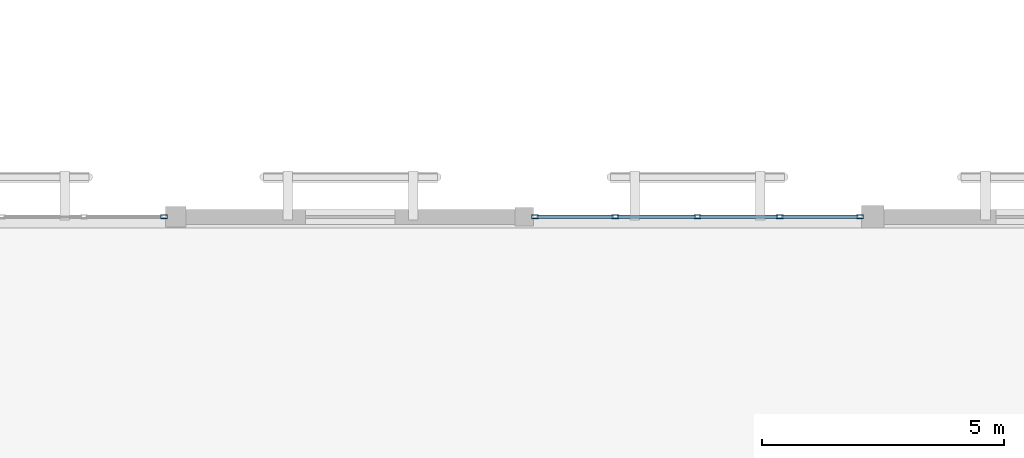
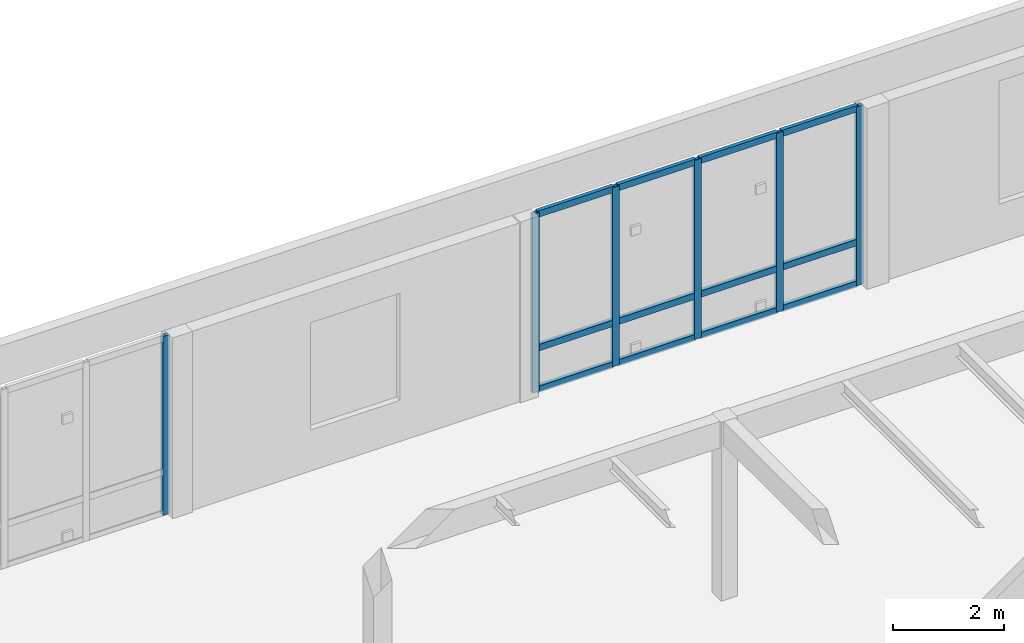
# One storey, part 158 of 217: 18 members, 2 elements without a shape of their own.
"""IFC4 building model written with IfcOpenShell, lengths in metres."""

from ifc_helpers import new_model, si_unit, direction, frame, origin, origin_2d, place, context, subcontext, project, spatial, hollow_rectangle, extrude, material, layer, layer_set, material_profile, profile_set, type_object, element, aggregate, save


model = new_model("IFC4")

# Units and contexts
model_context = context("Model", 3, precision=1e-05, world=origin(), true_north=direction((0.0, 1.0)))
body_context = subcontext(model_context, "Body", "Model", "MODEL_VIEW")
ifc_project = project(units=[si_unit("LENGTHUNIT", "METRE"), si_unit("AREAUNIT", "SQUARE_METRE"), si_unit("VOLUMEUNIT", "CUBIC_METRE"), si_unit("PLANEANGLEUNIT", "RADIAN"), si_unit("MASSUNIT", "GRAM", prefix="KILO")], contexts=[model_context])

# Site, building, storey
site_placement = place(None, origin())
site = spatial("IfcSite", under=ifc_project, at=site_placement, CompositionType="ELEMENT")
building_placement = place(site_placement, origin())
building = spatial("IfcBuilding", under=site, at=building_placement, Name="Mazaris Harbour Polytechnic", CompositionType="ELEMENT")
storey_placement = place(building_placement, frame((0.0, 0.0, 9.60009765625)))
storey = spatial("IfcBuildingStorey", under=building, at=storey_placement, Name="L02", CompositionType="ELEMENT", Elevation=9.60009765625)

# Curtain wall, member
ifc_material_1 = material(Name="Anodised Bronze Aluminium and Low-E Glass", Category="aluminium")
ifc_layer = layer(ifc_material_1, 0.169921875, Name="Anodised Bronze Aluminium and Low-E Glass")
ifc_layer_set = layer_set([ifc_layer], Name="Anodised Bronze Aluminium and Low-E Glass")
curtain_wall_type = type_object("IfcCurtainWallType", Name="Studio North-Light Curtain Wall", PredefinedType="NOTDEFINED", material=ifc_layer_set)
curtain_wall_1_placement = place(storey_placement, origin())
curtain_wall_1 = element("IfcCurtainWall", 1, at=curtain_wall_1_placement, inside=storey, type_object=curtain_wall_type, Name="V5 L02 Curtain Wall 228", PredefinedType="NOTDEFINED")
ifc_material_2 = material(Name="Anodised Bronze Steel S355", Category="steel")
ifc_material_profile_1 = material_profile(ifc_material_2, hollow_rectangle(XDim=0.080078125, YDim=0.139892578125, WallThickness=0.00634765625, at=origin_2d()), Name="RHS 80x140x6.3")
ifc_profile_set_1 = profile_set([ifc_material_profile_1], Name="Anodised Bronze Steel S355")
member_type_1 = type_object("IfcMemberType", Name="Curtain Mullion RHS80x140", PredefinedType="MULLION", material=ifc_profile_set_1)
member_1_placement = place(storey_placement, frame((143.758056640625, 108.0, 0.0), z_axis=(0.0, 0.0, 1.0), x_axis=(0.0, 1.0, 0.0)))
member_1 = element("IfcMember", 2, at=member_1_placement, type_object=member_type_1, Name="CW-03 mullion 5", PredefinedType="MULLION", context=body_context, shape_type="SweptSolid", body=[
    extrude(hollow_rectangle(XDim=0.080078125, YDim=0.139892578125, WallThickness=0.00634765625, at=origin_2d()), origin(), (0.0, 0.0, 1.0), 3.919921875),
])
aggregate(curtain_wall_1, [member_1])

# Curtain wall, members
curtain_wall_2_placement = place(storey_placement, origin())
curtain_wall_2 = element("IfcCurtainWall", 3, at=curtain_wall_2_placement, inside=storey, type_object=curtain_wall_type, Name="V5 L02 Curtain Wall 229", PredefinedType="NOTDEFINED")
member_2_placement = place(storey_placement, frame((151.422119140625, 108.0, 0.0), z_axis=(0.0, 0.0, 1.0), x_axis=(0.0, 1.0, 0.0)))
member_2 = element("IfcMember", 4, at=member_2_placement, type_object=member_type_1, Name="CW-03 mullion 1", PredefinedType="MULLION", context=body_context, shape_type="SweptSolid", body=[
    extrude(hollow_rectangle(XDim=0.080078125, YDim=0.139892578125, WallThickness=0.00634765625, at=origin_2d()), origin(), (0.0, 0.0, 1.0), 3.919921875),
])
member_3_placement = place(storey_placement, frame((153.0810546875, 108.0, 0.0), z_axis=(0.0, 0.0, 1.0), x_axis=(0.0, 1.0, 0.0)))
member_3 = element("IfcMember", 5, at=member_3_placement, type_object=member_type_1, Name="CW-03 mullion 2", PredefinedType="MULLION", context=body_context, shape_type="SweptSolid", body=[
    extrude(hollow_rectangle(XDim=0.080078125, YDim=0.139892578125, WallThickness=0.00634765625, at=origin_2d()), origin(), (0.0, 0.0, 1.0), 3.919921875),
])
member_4_placement = place(storey_placement, frame((154.780029296875, 108.0, 0.0), z_axis=(0.0, 0.0, 1.0), x_axis=(0.0, 1.0, 0.0)))
member_4 = element("IfcMember", 6, at=member_4_placement, type_object=member_type_1, Name="CW-03 mullion 3", PredefinedType="MULLION", context=body_context, shape_type="SweptSolid", body=[
    extrude(hollow_rectangle(XDim=0.080078125, YDim=0.139892578125, WallThickness=0.00634765625, at=origin_2d()), origin(), (0.0, 0.0, 1.0), 3.919921875),
])
member_5_placement = place(storey_placement, frame((156.47900390625, 108.0, 0.0), z_axis=(0.0, 0.0, 1.0), x_axis=(0.0, 1.0, 0.0)))
member_5 = element("IfcMember", 7, at=member_5_placement, type_object=member_type_1, Name="CW-03 mullion 4", PredefinedType="MULLION", context=body_context, shape_type="SweptSolid", body=[
    extrude(hollow_rectangle(XDim=0.080078125, YDim=0.139892578125, WallThickness=0.00634765625, at=origin_2d()), origin(), (0.0, 0.0, 1.0), 3.919921875),
])
member_6_placement = place(storey_placement, frame((158.137939453125, 108.0, 0.0), z_axis=(0.0, 0.0, 1.0), x_axis=(0.0, 1.0, 0.0)))
member_6 = element("IfcMember", 8, at=member_6_placement, type_object=member_type_1, Name="CW-03 mullion 5", PredefinedType="MULLION", context=body_context, shape_type="SweptSolid", body=[
    extrude(hollow_rectangle(XDim=0.080078125, YDim=0.139892578125, WallThickness=0.00634765625, at=origin_2d()), origin(), (0.0, 0.0, 1.0), 3.919921875),
])
ifc_material_3 = material(Name="Anodised Bronze Steel S355", Category="steel")
ifc_material_profile_2 = material_profile(ifc_material_3, hollow_rectangle(XDim=0.080078125, YDim=0.139892578125, WallThickness=0.00634765625, at=origin_2d()), Name="RHS 80x140x6.3")
ifc_profile_set_2 = profile_set([ifc_material_profile_2], Name="Anodised Bronze Steel S355")
member_type_2 = type_object("IfcMemberType", Name="Curtain Transom RHS80x140", PredefinedType="USERDEFINED", material=ifc_profile_set_2)
member_7_placement = place(storey_placement, frame((151.4619140625, 108.0, 0.039794921875), z_axis=(1.0, 0.0, 0.0), x_axis=(0.0, 1.0, 0.0)))
member_7 = element("IfcMember", 9, at=member_7_placement, type_object=member_type_2, Name="CW-03 transom 1.1", ObjectType="TRANSOM", PredefinedType="USERDEFINED", context=body_context, shape_type="SweptSolid", body=[
    extrude(hollow_rectangle(XDim=0.080078125, YDim=0.139892578125, WallThickness=0.00634765625, at=origin_2d()), origin(), (0.0, 0.0, 1.0), 1.5791015625),
])
member_8_placement = place(storey_placement, frame((151.4619140625, 108.0, 0.949951171875), z_axis=(1.0, 0.0, 0.0), x_axis=(0.0, 1.0, 0.0)))
member_8 = element("IfcMember", 10, at=member_8_placement, type_object=member_type_2, Name="CW-03 transom 1.2", ObjectType="TRANSOM", PredefinedType="USERDEFINED", context=body_context, shape_type="SweptSolid", body=[
    extrude(hollow_rectangle(XDim=0.080078125, YDim=0.139892578125, WallThickness=0.00634765625, at=origin_2d()), origin(), (0.0, 0.0, 1.0), 1.5791015625),
])
member_9_placement = place(storey_placement, frame((151.4619140625, 108.0, 3.8798828125), z_axis=(1.0, 0.0, 0.0), x_axis=(0.0, 1.0, 0.0)))
member_9 = element("IfcMember", 11, at=member_9_placement, type_object=member_type_2, Name="CW-03 transom 1.3", ObjectType="TRANSOM", PredefinedType="USERDEFINED", context=body_context, shape_type="SweptSolid", body=[
    extrude(hollow_rectangle(XDim=0.080078125, YDim=0.139892578125, WallThickness=0.00634765625, at=origin_2d()), origin(), (0.0, 0.0, 1.0), 1.5791015625),
])
member_10_placement = place(storey_placement, frame((153.12109375, 108.0, 0.039794921875), z_axis=(1.0, 0.0, 0.0), x_axis=(0.0, 1.0, 0.0)))
member_10 = element("IfcMember", 12, at=member_10_placement, type_object=member_type_2, Name="CW-03 transom 2.1", ObjectType="TRANSOM", PredefinedType="USERDEFINED", context=body_context, shape_type="SweptSolid", body=[
    extrude(hollow_rectangle(XDim=0.080078125, YDim=0.139892578125, WallThickness=0.00634765625, at=origin_2d()), origin(), (0.0, 0.0, 1.0), 1.618896484375),
])
member_11_placement = place(storey_placement, frame((153.12109375, 108.0, 0.949951171875), z_axis=(1.0, 0.0, 0.0), x_axis=(0.0, 1.0, 0.0)))
member_11 = element("IfcMember", 13, at=member_11_placement, type_object=member_type_2, Name="CW-03 transom 2.2", ObjectType="TRANSOM", PredefinedType="USERDEFINED", context=body_context, shape_type="SweptSolid", body=[
    extrude(hollow_rectangle(XDim=0.080078125, YDim=0.139892578125, WallThickness=0.00634765625, at=origin_2d()), origin(), (0.0, 0.0, 1.0), 1.618896484375),
])
member_12_placement = place(storey_placement, frame((153.12109375, 108.0, 3.8798828125), z_axis=(1.0, 0.0, 0.0), x_axis=(0.0, 1.0, 0.0)))
member_12 = element("IfcMember", 14, at=member_12_placement, type_object=member_type_2, Name="CW-03 transom 2.3", ObjectType="TRANSOM", PredefinedType="USERDEFINED", context=body_context, shape_type="SweptSolid", body=[
    extrude(hollow_rectangle(XDim=0.080078125, YDim=0.139892578125, WallThickness=0.00634765625, at=origin_2d()), origin(), (0.0, 0.0, 1.0), 1.618896484375),
])
member_13_placement = place(storey_placement, frame((154.820068359375, 108.0, 0.039794921875), z_axis=(1.0, 0.0, 0.0), x_axis=(0.0, 1.0, 0.0)))
member_13 = element("IfcMember", 15, at=member_13_placement, type_object=member_type_2, Name="CW-03 transom 3.1", ObjectType="TRANSOM", PredefinedType="USERDEFINED", context=body_context, shape_type="SweptSolid", body=[
    extrude(hollow_rectangle(XDim=0.080078125, YDim=0.139892578125, WallThickness=0.00634765625, at=origin_2d()), origin(), (0.0, 0.0, 1.0), 1.618896484375),
])
member_14_placement = place(storey_placement, frame((154.820068359375, 108.0, 0.949951171875), z_axis=(1.0, 0.0, 0.0), x_axis=(0.0, 1.0, 0.0)))
member_14 = element("IfcMember", 16, at=member_14_placement, type_object=member_type_2, Name="CW-03 transom 3.2", ObjectType="TRANSOM", PredefinedType="USERDEFINED", context=body_context, shape_type="SweptSolid", body=[
    extrude(hollow_rectangle(XDim=0.080078125, YDim=0.139892578125, WallThickness=0.00634765625, at=origin_2d()), origin(), (0.0, 0.0, 1.0), 1.618896484375),
])
member_15_placement = place(storey_placement, frame((154.820068359375, 108.0, 3.8798828125), z_axis=(1.0, 0.0, 0.0), x_axis=(0.0, 1.0, 0.0)))
member_15 = element("IfcMember", 17, at=member_15_placement, type_object=member_type_2, Name="CW-03 transom 3.3", ObjectType="TRANSOM", PredefinedType="USERDEFINED", context=body_context, shape_type="SweptSolid", body=[
    extrude(hollow_rectangle(XDim=0.080078125, YDim=0.139892578125, WallThickness=0.00634765625, at=origin_2d()), origin(), (0.0, 0.0, 1.0), 1.618896484375),
])
member_16_placement = place(storey_placement, frame((156.51904296875, 108.0, 0.039794921875), z_axis=(1.0, 0.0, 0.0), x_axis=(0.0, 1.0, 0.0)))
member_16 = element("IfcMember", 18, at=member_16_placement, type_object=member_type_2, Name="CW-03 transom 4.1", ObjectType="TRANSOM", PredefinedType="USERDEFINED", context=body_context, shape_type="SweptSolid", body=[
    extrude(hollow_rectangle(XDim=0.080078125, YDim=0.139892578125, WallThickness=0.00634765625, at=origin_2d()), origin(), (0.0, 0.0, 1.0), 1.578857421875),
])
member_17_placement = place(storey_placement, frame((156.51904296875, 108.0, 0.949951171875), z_axis=(1.0, 0.0, 0.0), x_axis=(0.0, 1.0, 0.0)))
member_17 = element("IfcMember", 19, at=member_17_placement, type_object=member_type_2, Name="CW-03 transom 4.2", ObjectType="TRANSOM", PredefinedType="USERDEFINED", context=body_context, shape_type="SweptSolid", body=[
    extrude(hollow_rectangle(XDim=0.080078125, YDim=0.139892578125, WallThickness=0.00634765625, at=origin_2d()), origin(), (0.0, 0.0, 1.0), 1.578857421875),
])
member_18_placement = place(storey_placement, frame((156.51904296875, 108.0, 3.8798828125), z_axis=(1.0, 0.0, 0.0), x_axis=(0.0, 1.0, 0.0)))
member_18 = element("IfcMember", 20, at=member_18_placement, type_object=member_type_2, Name="CW-03 transom 4.3", ObjectType="TRANSOM", PredefinedType="USERDEFINED", context=body_context, shape_type="SweptSolid", body=[
    extrude(hollow_rectangle(XDim=0.080078125, YDim=0.139892578125, WallThickness=0.00634765625, at=origin_2d()), origin(), (0.0, 0.0, 1.0), 1.578857421875),
])
aggregate(curtain_wall_2, [member_2, member_3, member_4, member_5, member_6, member_7, member_8, member_9, member_10, member_11, member_12, member_13, member_14, member_15, member_16, member_17, member_18])

save(model, "model.ifc")
